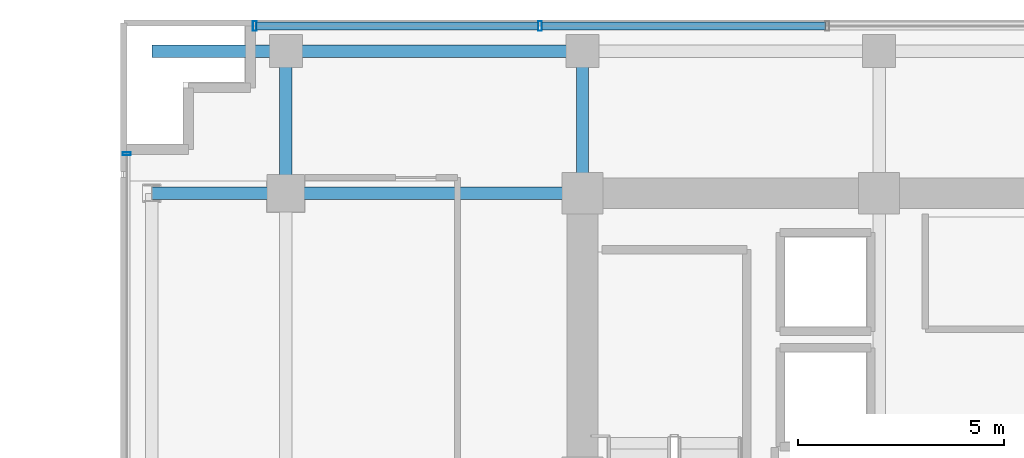
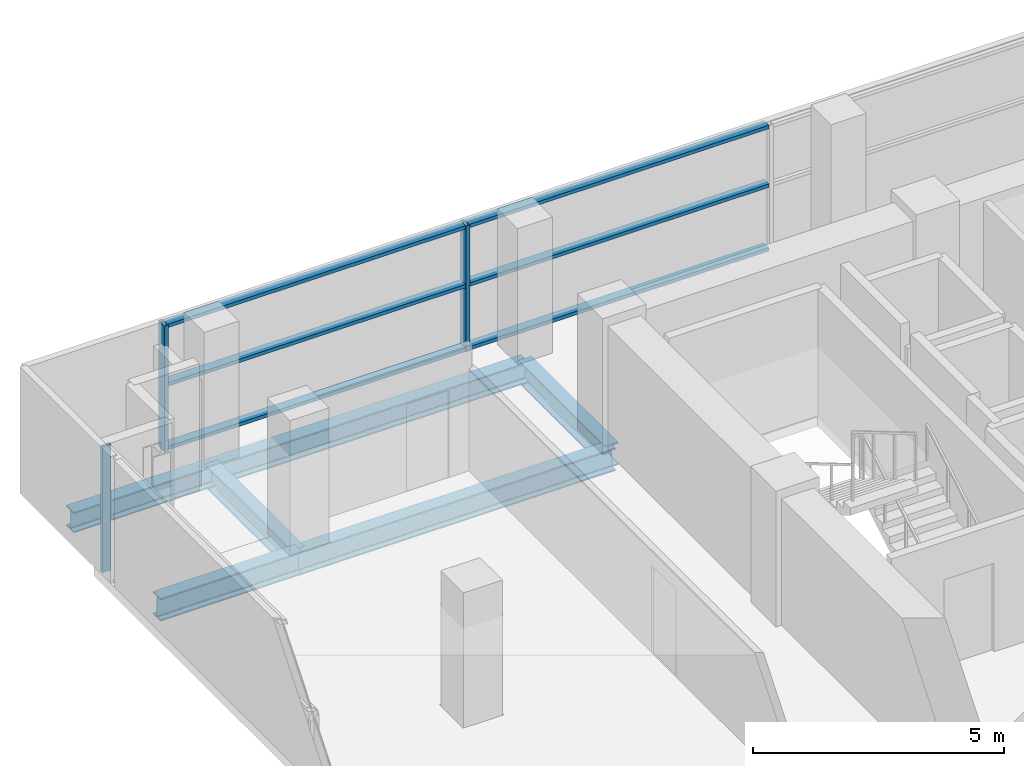
# One storey, part 10 of 23: 9 members, 6 beams, 2 elements without a shape of their own.
"""IFC4 building model written with IfcOpenShell, lengths in metres."""

from ifc_helpers import new_model, si_unit, direction, frame, origin, origin_2d, place, context, subcontext, project, spatial, hollow_rectangle, i_section, extrude, source, transform, mapped, material, layer, layer_set, material_profile, profile_set, type_object, element, aggregate, save


model = new_model("IFC4")

# Units and contexts
model_context = context("Model", 3, precision=1e-05, world=origin(), true_north=direction((0.0, 1.0)))
body_context = subcontext(model_context, "Body", "Model", "MODEL_VIEW")
ifc_project = project(units=[si_unit("LENGTHUNIT", "METRE"), si_unit("AREAUNIT", "SQUARE_METRE"), si_unit("VOLUMEUNIT", "CUBIC_METRE"), si_unit("PLANEANGLEUNIT", "RADIAN"), si_unit("MASSUNIT", "GRAM", prefix="KILO")], contexts=[model_context])

# Site, building, storey
site_placement = place(None, origin())
site = spatial("IfcSite", under=ifc_project, at=site_placement, CompositionType="ELEMENT")
building_placement = place(site_placement, origin())
building = spatial("IfcBuilding", under=site, at=building_placement, Name="Zarnakvel Exchange Tower", CompositionType="ELEMENT")
storey_placement = place(building_placement, frame((0.0, 0.0, 123.10009765625)))
storey = spatial("IfcBuildingStorey", under=building, at=storey_placement, Name="L34", CompositionType="ELEMENT", Elevation=123.10009765625)

# Beams
ifc_material_1 = material(Name="Steel S355", Category="steel")
ifc_material_profile_1 = material_profile(ifc_material_1, i_section(OverallWidth=0.300048828125, OverallDepth=0.550048828125, WebThickness=0.014892578125, FlangeThickness=0.029052734375, FilletRadius=0.027099609375, at=origin_2d()))
ifc_profile_set_1 = profile_set([ifc_material_profile_1], Name="Steel S355")
beam_type_1 = type_object("IfcBeamType", Name="G-05", PredefinedType="BEAM", material=ifc_profile_set_1)
beam_1_placement = place(storey_placement, frame((-24.85009765625, 13.5, -0.5), z_axis=(1.0, 0.0, 0.0), x_axis=(0.0, 1.0, 0.0)))
element("IfcBeam", 1, at=beam_1_placement, inside=storey, type_object=beam_type_1, Name="L34 Tower E-W Frame Beam", PredefinedType="BEAM", context=body_context, shape_type="SweptSolid", body=[
    extrude(i_section(OverallWidth=0.300048828125, OverallDepth=0.550048828125, WebThickness=0.014892578125, FlangeThickness=0.029052734375, FilletRadius=0.027099609375, at=origin_2d()), origin(), (0.0, 0.0, 1.0), 3.25),
])
beam_2_placement = place(storey_placement, frame((-21.60009765625, 13.5, -0.5), z_axis=(1.0, 0.0, 0.0), x_axis=(0.0, 1.0, 0.0)))
element("IfcBeam", 2, at=beam_2_placement, inside=storey, type_object=beam_type_1, Name="L34 Tower E-W Frame Beam", PredefinedType="BEAM", context=body_context, shape_type="SweptSolid", body=[
    extrude(i_section(OverallWidth=0.300048828125, OverallDepth=0.550048828125, WebThickness=0.014892578125, FlangeThickness=0.029052734375, FilletRadius=0.027099609375, at=origin_2d()), origin(), (0.0, 0.0, 1.0), 7.2001953125),
])
for number, where, z_axis, x_axis, name in (
    (3, (-21.60009765625, 13.5, -0.5), (0.0, 1.0, 0.0), (-1.0, 0.0, 0.0), "L34 Tower N-S Frame Beam"),
    (4, (-14.39990234375, 13.5, -0.5), (0.0, 1.0, 0.0), (-1.0, 0.0, 0.0), "L34 Tower N-S Frame Beam"),
):
    element("IfcBeam", number, at=place(storey_placement, frame(where, z_axis=z_axis, x_axis=x_axis)), inside=storey, type_object=beam_type_1, Name=name, PredefinedType="BEAM", context=body_context, shape_type="SweptSolid", body=[
        extrude(i_section(OverallWidth=0.300048828125, OverallDepth=0.550048828125, WebThickness=0.014892578125, FlangeThickness=0.029052734375, FilletRadius=0.027099609375, at=origin_2d()), origin(), (0.0, 0.0, 1.0), 3.449951171875),
    ])
ifc_material_profile_2 = material_profile(ifc_material_1, i_section(OverallWidth=0.300048828125, OverallDepth=0.5, WebThickness=0.014404296875, FlangeThickness=0.028076171875, FilletRadius=0.027099609375, at=origin_2d()))
ifc_profile_set_2 = profile_set([ifc_material_profile_2], Name="Steel S355")
beam_type_2 = type_object("IfcBeamType", Name="SP-02", PredefinedType="SPANDREL", material=ifc_profile_set_2)
beam_3_placement = place(storey_placement, frame((-21.60009765625, 16.949951171875, -0.47509765625), z_axis=(1.0, 0.0, 0.0), x_axis=(0.0, 1.0, 0.0)))
element("IfcBeam", 5, at=beam_3_placement, inside=storey, type_object=beam_type_2, Name="L34 Tower E-W Frame Beam", PredefinedType="SPANDREL", context=body_context, shape_type="SweptSolid", body=[
    extrude(i_section(OverallWidth=0.300048828125, OverallDepth=0.5, WebThickness=0.014404296875, FlangeThickness=0.028076171875, FilletRadius=0.027099609375, at=origin_2d()), origin(), (0.0, 0.0, 1.0), 7.2001953125),
])
beam_4_placement = place(storey_placement, frame((-24.85009765625, 16.949951171875, -0.47509765625), z_axis=(1.0, 0.0, 0.0), x_axis=(0.0, 1.0, 0.0)))
element("IfcBeam", 6, at=beam_4_placement, inside=storey, type_object=beam_type_2, Name="L34 North-West Corner Spandrel", PredefinedType="SPANDREL", context=body_context, shape_type="SweptSolid", body=[
    extrude(i_section(OverallWidth=0.300048828125, OverallDepth=0.5, WebThickness=0.014404296875, FlangeThickness=0.028076171875, FilletRadius=0.027099609375, at=origin_2d()), origin(), (0.0, 0.0, 1.0), 3.25),
])

# Curtain wall, members
ifc_material_2 = material(Name="Architectural Bronze Anodised Aluminium", Category="aluminium")
ifc_layer_1 = layer(ifc_material_2, 0.239990234375)
ifc_layer_set_1 = layer_set([ifc_layer_1], Name="Architectural Bronze Anodised Aluminium")
curtain_wall_type_1 = type_object("IfcCurtainWallType", Name="CW-02", PredefinedType="NOTDEFINED", material=ifc_layer_set_1)
curtain_wall_1_placement = place(storey_placement, origin())
curtain_wall_1 = element("IfcCurtainWall", 7, at=curtain_wall_1_placement, inside=storey, type_object=curtain_wall_type_1, Name="L34 Curtain Wall CW-L34-N1 (CW-02)", PredefinedType="NOTDEFINED")
ifc_material_profile_3 = material_profile(ifc_material_2, hollow_rectangle(XDim=0.239990234375, YDim=0.090087890625, WallThickness=0.006103515625, at=origin_2d()))
ifc_profile_set_3 = profile_set([ifc_material_profile_3], Name="Architectural Bronze Anodised Aluminium")
member_type_1 = type_object("IfcMemberType", Name="CWM-02", PredefinedType="MULLION", material=ifc_profile_set_3)
shared_shape_1 = source(origin(), body_context, "Body", "SweptSolid", [
    extrude(hollow_rectangle(XDim=0.239990234375, YDim=0.090087890625, WallThickness=0.006103515625, at=origin_2d()), origin(), (0.0, 0.0, 1.0), 3.054931640625),
])
member_1_placement = place(storey_placement, frame((-22.35498046875, 17.56005859375, 0.0), z_axis=(0.0, 0.0, 1.0), x_axis=(0.0, 1.0, 0.0)))
member_1 = element("IfcMember", 8, at=member_1_placement, type_object=member_type_1, Name="CW-02 mullion 1", PredefinedType="MULLION", context=body_context, shape_type="MappedRepresentation", body=[
    mapped(shared_shape_1, transform((0.0, 0.0, 0.0), x_axis=(1.0, 0.0, 0.0), y_axis=(0.0, 1.0, 0.0), z_axis=(0.0, 0.0, 1.0), scale=1.0)),
])
member_2_placement = place(storey_placement, frame((-15.428466796875, 17.56005859375, 0.0), z_axis=(0.0, 0.0, 1.0), x_axis=(0.0, 1.0, 0.0)))
member_2 = element("IfcMember", 9, at=member_2_placement, type_object=member_type_1, Name="CW-02 mullion 2", PredefinedType="MULLION", context=body_context, shape_type="MappedRepresentation", body=[
    mapped(shared_shape_1, transform((0.0, 0.0, 0.0), x_axis=(1.0, 0.0, 0.0), y_axis=(0.0, 1.0, 0.0), z_axis=(0.0, 0.0, 1.0), scale=1.0)),
])

# Curtain wall, member
ifc_layer_2 = layer(ifc_material_2, 0.199951171875)
ifc_layer_set_2 = layer_set([ifc_layer_2], Name="Architectural Bronze Anodised Aluminium")
curtain_wall_type_2 = type_object("IfcCurtainWallType", Name="CW-04", PredefinedType="NOTDEFINED", material=ifc_layer_set_2)
curtain_wall_2_placement = place(storey_placement, origin())
curtain_wall_2 = element("IfcCurtainWall", 10, at=curtain_wall_2_placement, inside=storey, type_object=curtain_wall_type_2, Name="L34 Curtain Wall CW-L34-WN (CW-04)", PredefinedType="NOTDEFINED")
ifc_material_profile_4 = material_profile(ifc_material_2, hollow_rectangle(XDim=0.199951171875, YDim=0.074951171875, WallThickness=0.0048828125, at=origin_2d()))
ifc_profile_set_4 = profile_set([ifc_material_profile_4], Name="Architectural Bronze Anodised Aluminium")
member_type_2 = type_object("IfcMemberType", Name="CWM-04", PredefinedType="MULLION", material=ifc_profile_set_4)
shared_shape_2 = source(origin(), body_context, "Body", "SweptSolid", [
    extrude(hollow_rectangle(XDim=0.199951171875, YDim=0.074951171875, WallThickness=0.0048828125, at=origin_2d()), origin(), (0.0, 0.0, 1.0), 3.054931640625),
])
member_3_placement = place(storey_placement, frame((-25.4599609375, 14.46240234375, 0.0), z_axis=(0.0, 0.0, 1.0), x_axis=(-1.0, 0.0, 0.0)))
member_3 = element("IfcMember", 11, at=member_3_placement, type_object=member_type_2, Name="CW-04 mullion 3", PredefinedType="MULLION", context=body_context, shape_type="MappedRepresentation", body=[
    mapped(shared_shape_2, transform((0.0, 0.0, 0.0), x_axis=(1.0, 0.0, 0.0), y_axis=(0.0, 1.0, 0.0), z_axis=(0.0, 0.0, 1.0), scale=1.0)),
])
aggregate(curtain_wall_2, [member_3])

# Member
ifc_material_profile_5 = material_profile(ifc_material_2, hollow_rectangle(XDim=0.199951171875, YDim=0.0849609375, WallThickness=0.0048828125, at=origin_2d()))
ifc_profile_set_5 = profile_set([ifc_material_profile_5], Name="Architectural Bronze Anodised Aluminium")
member_type_3 = type_object("IfcMemberType", Name="CWT-02", PredefinedType="USERDEFINED", material=ifc_profile_set_5)
shared_shape_3 = source(origin(), body_context, "Body", "SweptSolid", [
    extrude(hollow_rectangle(XDim=0.199951171875, YDim=0.0849609375, WallThickness=0.0048828125, at=origin_2d()), origin(), (0.0, 0.0, 1.0), 6.83642578125),
])
member_4_placement = place(storey_placement, frame((-22.31005859375, 17.56005859375, 0.04248046875), z_axis=(1.0, 0.0, 0.0), x_axis=(0.0, 1.0, 0.0)))
member_4 = element("IfcMember", 12, at=member_4_placement, type_object=member_type_3, Name="CW-02 transom 1.1", ObjectType="TRANSOM", PredefinedType="USERDEFINED", context=body_context, shape_type="MappedRepresentation", body=[
    mapped(shared_shape_3, transform((0.0, 0.0, 0.0), x_axis=(1.0, 0.0, 0.0), y_axis=(0.0, 1.0, 0.0), z_axis=(0.0, 0.0, 1.0), scale=1.0)),
])

member_5_placement = place(storey_placement, frame((-22.31005859375, 17.56005859375, 1.588623046875), z_axis=(1.0, 0.0, 0.0), x_axis=(0.0, 1.0, 0.0)))
member_5 = element("IfcMember", 13, at=member_5_placement, type_object=member_type_3, Name="CW-02 transom 1.2", ObjectType="TRANSOM", PredefinedType="USERDEFINED", context=body_context, shape_type="MappedRepresentation", body=[
    mapped(shared_shape_3, transform((0.0, 0.0, 0.0), x_axis=(1.0, 0.0, 0.0), y_axis=(0.0, 1.0, 0.0), z_axis=(0.0, 0.0, 1.0), scale=1.0)),
])

member_6_placement = place(storey_placement, frame((-22.31005859375, 17.56005859375, 3.012451171875), z_axis=(1.0, 0.0, 0.0), x_axis=(0.0, 1.0, 0.0)))
member_6 = element("IfcMember", 14, at=member_6_placement, type_object=member_type_3, Name="CW-02 transom 1.3", ObjectType="TRANSOM", PredefinedType="USERDEFINED", context=body_context, shape_type="MappedRepresentation", body=[
    mapped(shared_shape_3, transform((0.0, 0.0, 0.0), x_axis=(1.0, 0.0, 0.0), y_axis=(0.0, 1.0, 0.0), z_axis=(0.0, 0.0, 1.0), scale=1.0)),
])

shared_shape_4 = source(origin(), body_context, "Body", "SweptSolid", [
    extrude(hollow_rectangle(XDim=0.199951171875, YDim=0.0849609375, WallThickness=0.0048828125, at=origin_2d()), origin(), (0.0, 0.0, 1.0), 6.88134765625),
])
member_7_placement = place(storey_placement, frame((-15.383544921875, 17.56005859375, 0.04248046875), z_axis=(1.0, 0.0, 0.0), x_axis=(0.0, 1.0, 0.0)))
member_7 = element("IfcMember", 15, at=member_7_placement, type_object=member_type_3, Name="CW-02 transom 2.1", ObjectType="TRANSOM", PredefinedType="USERDEFINED", context=body_context, shape_type="MappedRepresentation", body=[
    mapped(shared_shape_4, transform((0.0, 0.0, 0.0), x_axis=(1.0, 0.0, 0.0), y_axis=(0.0, 1.0, 0.0), z_axis=(0.0, 0.0, 1.0), scale=1.0)),
])

member_8_placement = place(storey_placement, frame((-15.383544921875, 17.56005859375, 1.588623046875), z_axis=(1.0, 0.0, 0.0), x_axis=(0.0, 1.0, 0.0)))
member_8 = element("IfcMember", 16, at=member_8_placement, type_object=member_type_3, Name="CW-02 transom 2.2", ObjectType="TRANSOM", PredefinedType="USERDEFINED", context=body_context, shape_type="MappedRepresentation", body=[
    mapped(shared_shape_4, transform((0.0, 0.0, 0.0), x_axis=(1.0, 0.0, 0.0), y_axis=(0.0, 1.0, 0.0), z_axis=(0.0, 0.0, 1.0), scale=1.0)),
])

member_9_placement = place(storey_placement, frame((-15.383544921875, 17.56005859375, 3.012451171875), z_axis=(1.0, 0.0, 0.0), x_axis=(0.0, 1.0, 0.0)))
member_9 = element("IfcMember", 17, at=member_9_placement, type_object=member_type_3, Name="CW-02 transom 2.3", ObjectType="TRANSOM", PredefinedType="USERDEFINED", context=body_context, shape_type="MappedRepresentation", body=[
    mapped(shared_shape_4, transform((0.0, 0.0, 0.0), x_axis=(1.0, 0.0, 0.0), y_axis=(0.0, 1.0, 0.0), z_axis=(0.0, 0.0, 1.0), scale=1.0)),
])

aggregate(curtain_wall_1, [member_1, member_2, member_4, member_5, member_6, member_7, member_8, member_9])

save(model, "model.ifc")
